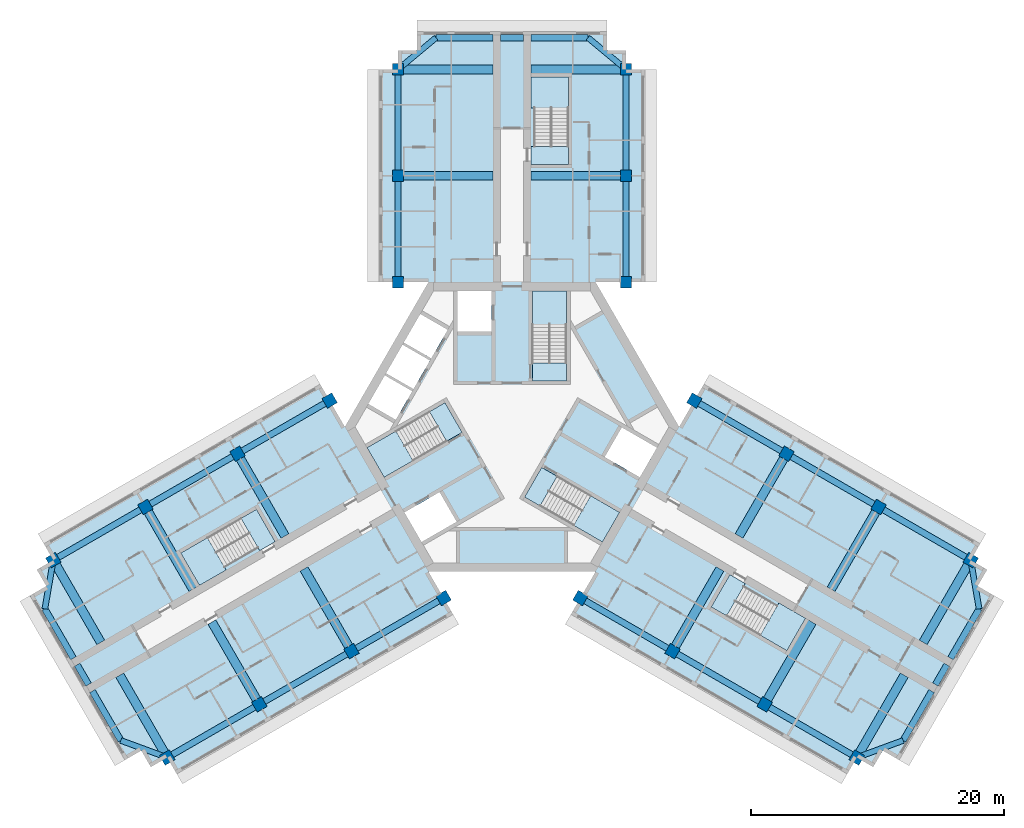
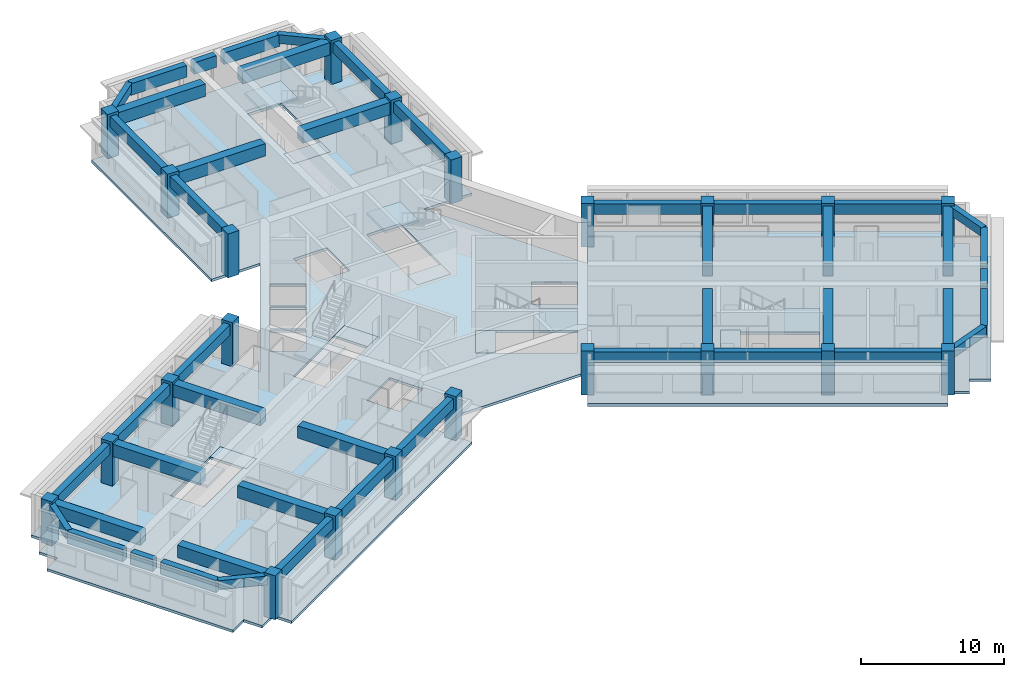
# One storey, part 1 of 11: 47 beams, 22 columns, 13 slabs, 6 elements without a shape of their own.
"""IFC4 building model written with IfcOpenShell, lengths in metres."""

from ifc_helpers import new_model, si_unit, direction, frame, origin, origin_2d, place, context, subcontext, project, spatial, polyline, rectangle, outline, extrude, material, layer, layer_set, material_profile, profile_set, type_object, element, aggregate, save


model = new_model("IFC4")

# Units and contexts
model_context = context("Model", 3, precision=1e-05, world=origin(), true_north=direction((0.0, 1.0)))
body_context = subcontext(model_context, "Body", "Model", "MODEL_VIEW")
ifc_project = project(units=[si_unit("LENGTHUNIT", "METRE"), si_unit("AREAUNIT", "SQUARE_METRE"), si_unit("VOLUMEUNIT", "CUBIC_METRE"), si_unit("PLANEANGLEUNIT", "RADIAN"), si_unit("MASSUNIT", "GRAM", prefix="KILO")], contexts=[model_context])

# Site, building, storey
site_placement = place(None, origin())
site = spatial("IfcSite", under=ifc_project, at=site_placement, CompositionType="ELEMENT")
building_placement = place(site_placement, origin())
building = spatial("IfcBuilding", under=site, at=building_placement, Name="Impinga Residences", CompositionType="ELEMENT")
storey_placement = place(building_placement, frame((0.0, 0.0, 203.5)))
storey = spatial("IfcBuildingStorey", under=building, at=storey_placement, Name="L50", CompositionType="ELEMENT", Elevation=203.5)

# Columns
ifc_material_1 = material(Name="Concrete C60/75", Category="concrete")
ifc_material_profile_1 = material_profile(ifc_material_1, rectangle(XDim=0.89990234375, YDim=0.89990234375, at=origin_2d()), Name="RC 900x900")
ifc_profile_set_1 = profile_set([ifc_material_profile_1], Name="Concrete C60/75")
column_type = type_object("IfcColumnType", Name="C4 900x900 column", PredefinedType="COLUMN", material=ifc_profile_set_1)
for number, where, z_axis, x_axis, name in (
    (1, (-9.0, 11.431640625, 0.0), (0.0, 0.0, 1.0), (1.0, 0.0, 0.0), "Column C4 N1/NA L50"),
    (2, (9.0, 11.431640625, 0.0), (0.0, 0.0, 1.0), (1.0, 0.0, 0.0), "Column C4 N1/NF L50"),
    (3, (-9.0, 19.83154296875, 0.0), (0.0, 0.0, 1.0), (1.0, 0.0, 0.0), "Column C4 N2/NA L50"),
    (4, (9.0, 19.83154296875, 0.0), (0.0, 0.0, 1.0), (1.0, 0.0, 0.0), "Column C4 N2/NF L50"),
    (5, (-9.0, 28.2314453125, 0.0), (0.0, 0.0, 1.0), (1.0, 0.0, 0.0), "Column C4 N3/NA L50"),
    (6, (9.0, 28.2314453125, 0.0), (0.0, 0.0, 1.0), (1.0, 0.0, 0.0), "Column C4 N3/NF L50"),
    (7, (-5.39990234375, -13.510009765625, 0.0), (0.0, 0.0, 1.0), (-0.5, 0.866025403784, 0.0), "Column C4 W1/WA L50"),
    (8, (-14.39990234375, 2.078369140625, 0.0), (0.0, 0.0, 1.0), (-0.5, 0.866025403784, 0.0), "Column C4 W1/WF L50"),
    (9, (-12.674560546875, -17.7099609375, 0.0), (0.0, 0.0, 1.0), (-0.5, 0.866025403784, 0.0), "Column C4 W2/WA L50"),
    (10, (-21.674560546875, -2.12158203125, 0.0), (0.0, 0.0, 1.0), (-0.5, 0.866025403784, 0.0), "Column C4 W2/WF L50"),
    (11, (-19.94921875, -21.909912109375, 0.0), (0.0, 0.0, 1.0), (-0.5, 0.866025403784, 0.0), "Column C4 W3/WA L50"),
    (12, (-28.94921875, -6.321533203125, 0.0), (0.0, 0.0, 1.0), (-0.5, 0.866025403784, 0.0), "Column C4 W3/WF L50"),
    (13, (-27.223876953125, -26.110107421875, 0.0), (0.0, 0.0, 1.0), (-0.5, 0.866025403784, 0.0), "Column C4 W4/WA L50"),
    (14, (-36.223876953125, -10.521484375, 0.0), (0.0, 0.0, 1.0), (-0.5, 0.866025403784, 0.0), "Column C4 W4/WF L50"),
    (15, (14.39990234375, 2.078369140625, 0.0), (0.0, 0.0, 1.0), (-0.5, -0.866025403784, 0.0), "Column C4 E1/EA L50"),
    (16, (5.39990234375, -13.510009765625, 0.0), (0.0, 0.0, 1.0), (-0.5, -0.866025403784, 0.0), "Column C4 E1/EF L50"),
    (17, (21.674560546875, -2.12158203125, 0.0), (0.0, 0.0, 1.0), (-0.5, -0.866025403784, 0.0), "Column C4 E2/EA L50"),
    (18, (12.674560546875, -17.7099609375, 0.0), (0.0, 0.0, 1.0), (-0.5, -0.866025403784, 0.0), "Column C4 E2/EF L50"),
    (19, (28.94921875, -6.321533203125, 0.0), (0.0, 0.0, 1.0), (-0.5, -0.866025403784, 0.0), "Column C4 E3/EA L50"),
    (20, (19.94921875, -21.909912109375, 0.0), (0.0, 0.0, 1.0), (-0.5, -0.866025403784, 0.0), "Column C4 E3/EF L50"),
    (21, (36.223876953125, -10.521484375, 0.0), (0.0, 0.0, 1.0), (-0.5, -0.866025403784, 0.0), "Column C4 E4/EA L50"),
    (22, (27.223876953125, -26.110107421875, 0.0), (0.0, 0.0, 1.0), (-0.5, -0.866025403784, 0.0), "Column C4 E4/EF L50"),
):
    element("IfcColumn", number, at=place(storey_placement, frame(where, z_axis=z_axis, x_axis=x_axis)), inside=storey, type_object=column_type, Name=name, PredefinedType="COLUMN", context=body_context, shape_type="SweptSolid", body=[
        extrude(rectangle(XDim=0.89990234375, YDim=0.89990234375, at=origin_2d()), origin(), (0.0, 0.0, 1.0), 3.75),
    ])

# Beams
ifc_material_profile_2 = material_profile(ifc_material_1, rectangle(XDim=0.449951171875, YDim=0.75, at=origin_2d()), Name="RC 450x750")
ifc_profile_set_2 = profile_set([ifc_material_profile_2], Name="Concrete C60/75")
beam_type_1 = type_object("IfcBeamType", Name="CB1 450x750 wing end cantilever beam", PredefinedType="BEAM", material=ifc_profile_set_2)
for number, where, z_axis, x_axis, name in (
    (23, (-9.0, 28.2314453125, 3.155029296875), (0.768221279597, 0.640184399664, 0.0), (-0.640184399664, 0.768221279597, 0.0), "Beam CB1 NB N3-NX level L51"),
    (24, (9.0, 28.2314453125, 3.155029296875), (-0.768221279597, 0.640184399664, 0.0), (-0.640184399664, -0.768221279597, 0.0), "Beam CB1 NE N3-NX level L51"),
    (25, (-27.223876953125, -26.110107421875, 3.155029296875), (-0.938520178725, 0.345224382289, 0.0), (-0.345224382289, -0.938520178725, 0.0), "Beam CB1 WB W4-WX level L51"),
):
    element("IfcBeam", number, at=place(storey_placement, frame(where, z_axis=z_axis, x_axis=x_axis)), inside=storey, type_object=beam_type_1, Name=name, PredefinedType="BEAM", context=body_context, shape_type="SweptSolid", body=[
        extrude(rectangle(XDim=0.449951171875, YDim=0.75, at=origin_2d()), origin(), (0.0, 0.0, 1.0), 3.905029296875),
    ])
for number, where, z_axis, x_axis, name in (
    (26, (-36.223876953125, -10.521484375, 3.155029296875), (-0.170296298948, -0.985392901621, 0.0), (0.985392901621, -0.170296298948, 0.0), "Beam CB1 WE W4-WX level L51"),
    (27, (36.223876953125, -10.521484375, 3.155029296875), (0.170296298948, -0.985392901621, 0.0), (0.985392901621, 0.170296298948, 0.0), "Beam CB1 EB E4-EX level L51"),
):
    element("IfcBeam", number, at=place(storey_placement, frame(where, z_axis=z_axis, x_axis=x_axis)), inside=storey, type_object=beam_type_1, Name=name, PredefinedType="BEAM", context=body_context, shape_type="SweptSolid", body=[
        extrude(rectangle(XDim=0.449951171875, YDim=0.75, at=origin_2d()), origin(), (0.0, 0.0, 1.0), 3.9052734375),
    ])
beam_1_placement = place(storey_placement, frame((27.223876953125, -26.110107421875, 3.155029296875), z_axis=(0.938520178725, 0.345224382289, 0.0), x_axis=(-0.345224382289, 0.938520178725, 0.0)))
element("IfcBeam", 28, at=beam_1_placement, inside=storey, type_object=beam_type_1, Name="Beam CB1 EE E4-EX level L51", PredefinedType="BEAM", context=body_context, shape_type="SweptSolid", body=[
    extrude(rectangle(XDim=0.449951171875, YDim=0.75, at=origin_2d()), origin(), (0.0, 0.0, 1.0), 3.905029296875),
])
ifc_material_profile_3 = material_profile(ifc_material_1, rectangle(XDim=0.699951171875, YDim=1.050048828125, at=origin_2d()), Name="RC 700x1050")
ifc_profile_set_3 = profile_set([ifc_material_profile_3], Name="Concrete C60/75")
beam_type_2 = type_object("IfcBeamType", Name="CG1 700x1050 cross girder on a wing bay line", PredefinedType="BEAM", material=ifc_profile_set_3)
for number, where, z_axis, x_axis, name in (
    (29, (-1.5, 19.83154296875, 3.0048828125), (-1.0, 0.0, 0.0), (0.0, -1.0, 0.0), "Beam CG1 N2 NC/NA level L51"),
    (30, (-1.5, 28.2314453125, 3.0048828125), (-1.0, 0.0, 0.0), (0.0, -1.0, 0.0), "Beam CG1 N3 NC/NA level L51"),
    (31, (1.5, 19.83154296875, 3.0048828125), (1.0, 0.0, 0.0), (0.0, 1.0, 0.0), "Beam CG1 N2 NC/NF level L51"),
    (32, (1.5, 28.2314453125, 3.0048828125), (1.0, 0.0, 0.0), (0.0, 1.0, 0.0), "Beam CG1 N3 NC/NF level L51"),
    (33, (-16.424560546875, -11.21484375, 3.0048828125), (0.500004234368, -0.866022959057, 0.0), (0.866022959057, 0.500004234368, 0.0), "Beam CG1 W2 WC/WA level L51"),
    (34, (-23.69921875, -15.414794921875, 3.0048828125), (0.500004234368, -0.866022959057, 0.0), (0.866022959057, 0.500004234368, 0.0), "Beam CG1 W3 WC/WA level L51"),
):
    element("IfcBeam", number, at=place(storey_placement, frame(where, z_axis=z_axis, x_axis=x_axis)), inside=storey, type_object=beam_type_2, Name=name, PredefinedType="BEAM", context=body_context, shape_type="SweptSolid", body=[
        extrude(rectangle(XDim=0.699951171875, YDim=1.050048828125, at=origin_2d()), origin(), (0.0, 0.0, 1.0), 7.5),
    ])
beam_2_placement = place(storey_placement, frame((-30.973876953125, -19.61474609375, 3.0048828125), z_axis=(0.499990139034, -0.866031096941, 0.0), x_axis=(0.866031096941, 0.499990139034, 0.0)))
element("IfcBeam", 35, at=beam_2_placement, inside=storey, type_object=beam_type_2, Name="Beam CG1 W4 WC/WA level L51", PredefinedType="BEAM", context=body_context, shape_type="SweptSolid", body=[
    extrude(rectangle(XDim=0.699951171875, YDim=1.050048828125, at=origin_2d()), origin(), (0.0, 0.0, 1.0), 7.500244140625),
])
for number, where, z_axis, x_axis, name in (
    (36, (-17.924560546875, -8.61669921875, 3.0048828125), (-0.500004234368, 0.866022959057, 0.0), (-0.866022959057, -0.500004234368, 0.0), "Beam CG1 W2 WC/WF level L51"),
    (37, (-25.19921875, -12.816650390625, 3.0048828125), (-0.500004234368, 0.866022959057, 0.0), (-0.866022959057, -0.500004234368, 0.0), "Beam CG1 W3 WC/WF level L51"),
):
    element("IfcBeam", number, at=place(storey_placement, frame(where, z_axis=z_axis, x_axis=x_axis)), inside=storey, type_object=beam_type_2, Name=name, PredefinedType="BEAM", context=body_context, shape_type="SweptSolid", body=[
        extrude(rectangle(XDim=0.699951171875, YDim=1.050048828125, at=origin_2d()), origin(), (0.0, 0.0, 1.0), 7.5),
    ])
beam_3_placement = place(storey_placement, frame((-32.473876953125, -17.016845703125, 3.0048828125), z_axis=(-0.499990139034, 0.866031096941, 0.0), x_axis=(-0.866031096941, -0.499990139034, 0.0)))
element("IfcBeam", 38, at=beam_3_placement, inside=storey, type_object=beam_type_2, Name="Beam CG1 W4 WC/WF level L51", PredefinedType="BEAM", context=body_context, shape_type="SweptSolid", body=[
    extrude(rectangle(XDim=0.699951171875, YDim=1.050048828125, at=origin_2d()), origin(), (0.0, 0.0, 1.0), 7.500244140625),
])
for number, where, z_axis, x_axis, name in (
    (39, (17.924560546875, -8.61669921875, 3.0048828125), (0.500004234368, 0.866022959057, 0.0), (-0.866022959057, 0.500004234368, 0.0), "Beam CG1 E2 EC/EA level L51"),
    (40, (25.19921875, -12.816650390625, 3.0048828125), (0.500004234368, 0.866022959057, 0.0), (-0.866022959057, 0.500004234368, 0.0), "Beam CG1 E3 EC/EA level L51"),
):
    element("IfcBeam", number, at=place(storey_placement, frame(where, z_axis=z_axis, x_axis=x_axis)), inside=storey, type_object=beam_type_2, Name=name, PredefinedType="BEAM", context=body_context, shape_type="SweptSolid", body=[
        extrude(rectangle(XDim=0.699951171875, YDim=1.050048828125, at=origin_2d()), origin(), (0.0, 0.0, 1.0), 7.5),
    ])
beam_4_placement = place(storey_placement, frame((32.473876953125, -17.016845703125, 3.0048828125), z_axis=(0.499990139034, 0.866031096941, 0.0), x_axis=(-0.866031096941, 0.499990139034, 0.0)))
element("IfcBeam", 41, at=beam_4_placement, inside=storey, type_object=beam_type_2, Name="Beam CG1 E4 EC/EA level L51", PredefinedType="BEAM", context=body_context, shape_type="SweptSolid", body=[
    extrude(rectangle(XDim=0.699951171875, YDim=1.050048828125, at=origin_2d()), origin(), (0.0, 0.0, 1.0), 7.500244140625),
])
for number, where, z_axis, x_axis, name in (
    (42, (16.424560546875, -11.21484375, 3.0048828125), (-0.500004234368, -0.866022959057, 0.0), (0.866022959057, -0.500004234368, 0.0), "Beam CG1 E2 EC/EF level L51"),
    (43, (23.69921875, -15.414794921875, 3.0048828125), (-0.500004234368, -0.866022959057, 0.0), (0.866022959057, -0.500004234368, 0.0), "Beam CG1 E3 EC/EF level L51"),
):
    element("IfcBeam", number, at=place(storey_placement, frame(where, z_axis=z_axis, x_axis=x_axis)), inside=storey, type_object=beam_type_2, Name=name, PredefinedType="BEAM", context=body_context, shape_type="SweptSolid", body=[
        extrude(rectangle(XDim=0.699951171875, YDim=1.050048828125, at=origin_2d()), origin(), (0.0, 0.0, 1.0), 7.5),
    ])
beam_5_placement = place(storey_placement, frame((30.973876953125, -19.61474609375, 3.0048828125), z_axis=(-0.499990139034, -0.866031096941, 0.0), x_axis=(0.866031096941, -0.499990139034, 0.0)))
element("IfcBeam", 44, at=beam_5_placement, inside=storey, type_object=beam_type_2, Name="Beam CG1 E4 EC/EF level L51", PredefinedType="BEAM", context=body_context, shape_type="SweptSolid", body=[
    extrude(rectangle(XDim=0.699951171875, YDim=1.050048828125, at=origin_2d()), origin(), (0.0, 0.0, 1.0), 7.500244140625),
])
ifc_material_profile_4 = material_profile(ifc_material_1, rectangle(XDim=0.5, YDim=1.0, at=origin_2d()), Name="RC 500x1000")
ifc_profile_set_4 = profile_set([ifc_material_profile_4], Name="Concrete C60/75")
beam_type_3 = type_object("IfcBeamType", Name="EB1 500x1000 wing end beam", PredefinedType="BEAM", material=ifc_profile_set_4)
beam_6_placement = place(storey_placement, frame((-6.0, 30.7314453125, 3.030029296875), z_axis=(1.0, 0.0, 0.0), x_axis=(0.0, 1.0, 0.0)))
element("IfcBeam", 45, at=beam_6_placement, inside=storey, type_object=beam_type_3, Name="Beam EB1 NX2 level L51", PredefinedType="BEAM", context=body_context, shape_type="SweptSolid", body=[
    extrude(rectangle(XDim=0.5, YDim=1.0, at=origin_2d()), origin(), (0.0, 0.0, 1.0), 4.5),
])
beam_7_placement = place(storey_placement, frame((-0.89990234375, 30.7314453125, 3.030029296875), z_axis=(1.0, 0.0, 0.0), x_axis=(0.0, 1.0, 0.0)))
element("IfcBeam", 46, at=beam_7_placement, inside=storey, type_object=beam_type_3, Name="Beam EB1 NX2 level L51", PredefinedType="BEAM", context=body_context, shape_type="SweptSolid", body=[
    extrude(rectangle(XDim=0.5, YDim=1.0, at=origin_2d()), origin(), (0.0, 0.0, 1.0), 1.7998046875),
])
for number, where, z_axis, x_axis, name in (
    (47, (1.5, 30.7314453125, 3.030029296875), (1.0, 0.0, 0.0), (0.0, 1.0, 0.0), "Beam EB1 NX2 level L51"),
    (48, (-30.888916015625, -24.761962890625, 3.030029296875), (-0.499990139034, 0.866031096941, 0.0), (-0.866031096941, -0.499990139034, 0.0), "Beam EB1 WX3 level L51"),
):
    element("IfcBeam", number, at=place(storey_placement, frame(where, z_axis=z_axis, x_axis=x_axis)), inside=storey, type_object=beam_type_3, Name=name, PredefinedType="BEAM", context=body_context, shape_type="SweptSolid", body=[
        extrude(rectangle(XDim=0.5, YDim=1.0, at=origin_2d()), origin(), (0.0, 0.0, 1.0), 4.5),
    ])
beam_8_placement = place(storey_placement, frame((-33.43896484375, -20.34521484375, 3.030029296875), z_axis=(-0.499961193289, 0.866047807691, 0.0), x_axis=(-0.866047807691, -0.499961193289, 0.0)))
element("IfcBeam", 49, at=beam_8_placement, inside=storey, type_object=beam_type_3, Name="Beam EB1 WX3 level L51", PredefinedType="BEAM", context=body_context, shape_type="SweptSolid", body=[
    extrude(rectangle(XDim=0.5, YDim=1.0, at=origin_2d()), origin(), (0.0, 0.0, 1.0), 1.800048828125),
])
for number, where, z_axis, x_axis, name in (
    (50, (-34.638916015625, -18.266845703125, 3.030029296875), (-0.499990139034, 0.866031096941, 0.0), (-0.866031096941, -0.499990139034, 0.0), "Beam EB1 WX3 level L51"),
    (51, (36.888916015625, -14.36962890625, 3.030029296875), (-0.499990139034, -0.866031096941, 0.0), (0.866031096941, -0.499990139034, 0.0), "Beam EB1 EX3 level L51"),
):
    element("IfcBeam", number, at=place(storey_placement, frame(where, z_axis=z_axis, x_axis=x_axis)), inside=storey, type_object=beam_type_3, Name=name, PredefinedType="BEAM", context=body_context, shape_type="SweptSolid", body=[
        extrude(rectangle(XDim=0.5, YDim=1.0, at=origin_2d()), origin(), (0.0, 0.0, 1.0), 4.5),
    ])
beam_9_placement = place(storey_placement, frame((34.3388671875, -18.786376953125, 3.030029296875), z_axis=(-0.499961193289, -0.866047807691, 0.0), x_axis=(0.866047807691, -0.499961193289, 0.0)))
element("IfcBeam", 52, at=beam_9_placement, inside=storey, type_object=beam_type_3, Name="Beam EB1 EX3 level L51", PredefinedType="BEAM", context=body_context, shape_type="SweptSolid", body=[
    extrude(rectangle(XDim=0.5, YDim=1.0, at=origin_2d()), origin(), (0.0, 0.0, 1.0), 1.800048828125),
])
beam_10_placement = place(storey_placement, frame((33.138916015625, -20.86474609375, 3.030029296875), z_axis=(-0.499990139034, -0.866031096941, 0.0), x_axis=(0.866031096941, -0.499990139034, 0.0)))
element("IfcBeam", 53, at=beam_10_placement, inside=storey, type_object=beam_type_3, Name="Beam EB1 EX3 level L51", PredefinedType="BEAM", context=body_context, shape_type="SweptSolid", body=[
    extrude(rectangle(XDim=0.5, YDim=1.0, at=origin_2d()), origin(), (0.0, 0.0, 1.0), 4.5),
])
ifc_material_profile_5 = material_profile(ifc_material_1, rectangle(XDim=0.5, YDim=0.89990234375, at=origin_2d()), Name="RC 500x900")
ifc_profile_set_5 = profile_set([ifc_material_profile_5], Name="Concrete C60/75")
beam_type_4 = type_object("IfcBeamType", Name="SB1 500x900 perimeter spandrel beam", PredefinedType="SPANDREL", material=ifc_profile_set_5)
for number, where, z_axis, x_axis, name in (
    (54, (-9.0, 11.431640625, 3.080078125), (0.0, 1.0, 0.0), (-1.0, 0.0, 0.0), "Beam SB1 NA N1-N2 level L51"),
    (55, (-9.0, 19.83154296875, 3.080078125), (0.0, 1.0, 0.0), (-1.0, 0.0, 0.0), "Beam SB1 NA N2-N3 level L51"),
    (56, (9.0, 11.431640625, 3.080078125), (0.0, 1.0, 0.0), (-1.0, 0.0, 0.0), "Beam SB1 NF N1-N2 level L51"),
    (57, (9.0, 19.83154296875, 3.080078125), (0.0, 1.0, 0.0), (-1.0, 0.0, 0.0), "Beam SB1 NF N2-N3 level L51"),
    (58, (-5.39990234375, -13.510009765625, 3.080078125), (-0.86602925447, -0.499993330357, 0.0), (0.499993330357, -0.86602925447, 0.0), "Beam SB1 WA W1-W2 level L51"),
    (59, (-12.674560546875, -17.7099609375, 3.080078125), (-0.86602925447, -0.499993330357, 0.0), (0.499993330357, -0.86602925447, 0.0), "Beam SB1 WA W2-W3 level L51"),
):
    element("IfcBeam", number, at=place(storey_placement, frame(where, z_axis=z_axis, x_axis=x_axis)), inside=storey, type_object=beam_type_4, Name=name, PredefinedType="SPANDREL", context=body_context, shape_type="SweptSolid", body=[
        extrude(rectangle(XDim=0.5, YDim=0.89990234375, at=origin_2d()), origin(), (0.0, 0.0, 1.0), 8.39990234375),
    ])
beam_11_placement = place(storey_placement, frame((-19.94921875, -21.909912109375, 3.080078125), z_axis=(-0.866016669275, -0.500015128309, 0.0), x_axis=(0.500015128309, -0.866016669275, 0.0)))
element("IfcBeam", 60, at=beam_11_placement, inside=storey, type_object=beam_type_4, Name="Beam SB1 WA W3-W4 level L51", PredefinedType="SPANDREL", context=body_context, shape_type="SweptSolid", body=[
    extrude(rectangle(XDim=0.5, YDim=0.89990234375, at=origin_2d()), origin(), (0.0, 0.0, 1.0), 8.400146484375),
])
for number, where, z_axis, x_axis, name in (
    (61, (-14.39990234375, 2.078369140625, 3.080078125), (-0.86602925447, -0.499993330357, 0.0), (0.499993330357, -0.86602925447, 0.0), "Beam SB1 WF W1-W2 level L51"),
    (62, (-21.674560546875, -2.12158203125, 3.080078125), (-0.86602925447, -0.499993330357, 0.0), (0.499993330357, -0.86602925447, 0.0), "Beam SB1 WF W2-W3 level L51"),
    (63, (-28.94921875, -6.321533203125, 3.080078125), (-0.86602925447, -0.499993330357, 0.0), (0.499993330357, -0.86602925447, 0.0), "Beam SB1 WF W3-W4 level L51"),
    (64, (14.39990234375, 2.078369140625, 3.080078125), (0.86602925447, -0.499993330357, 0.0), (0.499993330357, 0.86602925447, 0.0), "Beam SB1 EA E1-E2 level L51"),
    (65, (21.674560546875, -2.12158203125, 3.080078125), (0.86602925447, -0.499993330357, 0.0), (0.499993330357, 0.86602925447, 0.0), "Beam SB1 EA E2-E3 level L51"),
    (66, (28.94921875, -6.321533203125, 3.080078125), (0.86602925447, -0.499993330357, 0.0), (0.499993330357, 0.86602925447, 0.0), "Beam SB1 EA E3-E4 level L51"),
    (67, (5.39990234375, -13.510009765625, 3.080078125), (0.86602925447, -0.499993330357, 0.0), (0.499993330357, 0.86602925447, 0.0), "Beam SB1 EF E1-E2 level L51"),
    (68, (12.674560546875, -17.7099609375, 3.080078125), (0.86602925447, -0.499993330357, 0.0), (0.499993330357, 0.86602925447, 0.0), "Beam SB1 EF E2-E3 level L51"),
):
    element("IfcBeam", number, at=place(storey_placement, frame(where, z_axis=z_axis, x_axis=x_axis)), inside=storey, type_object=beam_type_4, Name=name, PredefinedType="SPANDREL", context=body_context, shape_type="SweptSolid", body=[
        extrude(rectangle(XDim=0.5, YDim=0.89990234375, at=origin_2d()), origin(), (0.0, 0.0, 1.0), 8.39990234375),
    ])
beam_12_placement = place(storey_placement, frame((19.94921875, -21.909912109375, 3.080078125), z_axis=(0.866016669275, -0.500015128309, 0.0), x_axis=(0.500015128309, 0.866016669275, 0.0)))
element("IfcBeam", 69, at=beam_12_placement, inside=storey, type_object=beam_type_4, Name="Beam SB1 EF E3-E4 level L51", PredefinedType="SPANDREL", context=body_context, shape_type="SweptSolid", body=[
    extrude(rectangle(XDim=0.5, YDim=0.89990234375, at=origin_2d()), origin(), (0.0, 0.0, 1.0), 8.400146484375),
])

# Slab
ifc_layer_1 = layer(ifc_material_1, 0.219970703125)
ifc_layer_set_1 = layer_set([ifc_layer_1], Name="Concrete C60/75")
slab_type_1 = type_object("IfcSlabType", Name="FS1 tower floor slab 220", PredefinedType="FLOOR", material=ifc_layer_set_1)
slab_1_placement = place(storey_placement, frame((0.0, 0.0, -0.219970703125)))
element("IfcSlab", 70, at=slab_1_placement, inside=storey, type_object=slab_type_1, Name="Floor slab FS1 L50", PredefinedType="FLOOR", context=body_context, shape_type="SweptSolid", body=[
    extrude(outline(polyline([(-27.223876953125, -26.110107421875), (-28.52294921875, -26.860107421875), (-29.27294921875, -25.56103515625), (-30.572021484375, -26.31103515625), (-38.072021484375, -13.320556640625), (-36.77294921875, -12.570556640625), (-37.52294921875, -11.271484375), (-36.223876953125, -10.521484375), (-36.973876953125, -9.222412109375), (-15.14990234375, 3.37744140625), (-13.199951171875, 0.0), (-6.60009765625, 11.431640625), (-10.5, 11.431640625), (-10.5, 28.2314453125), (-9.0, 28.2314453125), (-9.0, 29.7314453125), (-7.5, 29.7314453125), (-7.5, 31.2314453125), (7.5, 31.2314453125), (7.5, 29.7314453125), (9.0, 29.7314453125), (9.0, 28.2314453125), (10.5, 28.2314453125), (10.5, 11.431640625), (6.60009765625, 11.431640625), (13.199951171875, 0.0), (15.14990234375, 3.37744140625), (36.973876953125, -9.222412109375), (36.223876953125, -10.521484375), (37.52294921875, -11.271484375), (36.77294921875, -12.570556640625), (38.072021484375, -13.320556640625), (30.572021484375, -26.31103515625), (29.27294921875, -25.56103515625), (28.52294921875, -26.860107421875), (27.223876953125, -26.110107421875), (26.473876953125, -27.408935546875), (4.64990234375, -14.80908203125), (9.900146484375, -5.7158203125), (6.60009765625, -11.431640625), (-6.60009765625, -11.431640625), (-9.900146484375, -5.7158203125), (-4.64990234375, -14.80908203125), (-26.473876953125, -27.408935546875), (-27.223876953125, -26.110107421875)]), holes=[polyline([(-18.7041015625, -9.066650390625), (-18.8291015625, -8.850341796875), (-18.8291015625, -8.850341796875), (-20.178955078125, -6.511962890625), (-21.391357421875, -7.2119140625), (-21.391357421875, -7.2119140625), (-26.154541015625, -9.9619140625), (-24.8046875, -12.30029296875), (-20.04150390625, -9.55029296875), (-19.91650390625, -9.766845703125), (-18.7041015625, -9.066650390625)]), polyline([(-5.72119140625, -5.150634765625), (-8.493896484375, -6.75146484375), (-7.143798828125, -9.089599609375), (-4.37109375, -7.489013671875), (-5.72119140625, -5.150634765625)]), polyline([(-5.293701171875, 1.908935546875), (-11.44384765625, -1.641845703125), (-10.09375, -3.980224609375), (-3.943603515625, -0.429443359375), (-5.293701171875, 1.908935546875)]), polyline([(-7.878662109375, 2.816650390625), (-10.043701171875, 4.066650390625), (-11.34375, 1.81494140625), (-9.1787109375, 0.56494140625), (-7.878662109375, 2.816650390625)]), polyline([(-6.478759765625, 5.24169921875), (-8.643798828125, 6.49169921875), (-9.94384765625, 4.239990234375), (-7.77880859375, 2.989990234375), (-6.478759765625, 5.24169921875)]), polyline([(-6.378662109375, 5.414794921875), (-5.07861328125, 7.66650390625), (-7.243896484375, 8.91650390625), (-8.543701171875, 6.664794921875), (-6.378662109375, 5.414794921875)]), polyline([(-4.300048828125, 7.530029296875), (-1.60009765625, 7.530029296875), (-1.60009765625, 10.7314453125), (-4.300048828125, 10.7314453125), (-4.300048828125, 7.530029296875)]), polyline([(15.72900390625, -14.219482421875), (21.70458984375, -17.669677734375), (23.0546875, -15.331298828125), (18.29150390625, -12.581298828125), (18.41650390625, -12.36474609375), (17.2041015625, -11.664794921875), (15.72900390625, -14.219482421875)]), polyline([(0.99365234375, -5.538818359375), (7.143798828125, -9.089599609375), (8.493896484375, -6.75146484375), (2.34375, -3.20068359375), (0.99365234375, -5.538818359375)]), polyline([(7.3212890625, -2.37939453125), (10.09375, -3.980224609375), (11.44384765625, -1.641845703125), (8.671142578125, -0.041015625), (7.3212890625, -2.37939453125)]), polyline([(4.300048828125, 3.6298828125), (4.300048828125, 10.7314453125), (1.60009765625, 10.7314453125), (1.60009765625, 3.6298828125), (4.300048828125, 3.6298828125)]), polyline([(1.75, 22.131591796875), (1.5, 22.131591796875), (1.5, 20.7314453125), (1.75, 20.7314453125), (4.449951171875, 20.7314453125), (4.449951171875, 22.131591796875), (4.449951171875, 27.631591796875), (1.75, 27.631591796875), (1.75, 22.131591796875)])]), origin(), (0.0, 0.0, 1.0), 0.219970703125),
])

# Stair, slabs
ifc_material_2 = material(Name="Concrete C40/50", Category="concrete")
stair_type_1 = type_object("IfcStairType", Name="STR core stair 3750 storey, 24 risers", PredefinedType="HALF_TURN_STAIR", material=ifc_material_2)
stair_1_placement = place(storey_placement, origin())
stair_1 = element("IfcStair", 71, at=stair_1_placement, inside=storey, type_object=stair_type_1, Name="Stair ST1 L50", PredefinedType="HALF_TURN_STAIR")
ifc_layer_2 = layer(ifc_material_2, 0.199951171875)
ifc_layer_set_2 = layer_set([ifc_layer_2], Name="Concrete C40/50")
slab_type_2 = type_object("IfcSlabType", Name="LS1 stair landing 200", PredefinedType="LANDING", material=ifc_layer_set_2)
slab_2_placement = place(storey_placement, frame((0.0, 0.0, -0.199951171875)))
slab_2 = element("IfcSlab", 72, at=slab_2_placement, type_object=slab_type_2, Name="ST1 landing 1", PredefinedType="LANDING", context=body_context, shape_type="SweptSolid", body=[
    extrude(outline(polyline([(1.60009765625, 3.6298828125), (4.300048828125, 3.6298828125), (4.300048828125, 5.0400390625), (1.60009765625, 5.0400390625), (1.60009765625, 3.6298828125)])), origin(), (0.0, 0.0, 1.0), 0.199951171875),
])
slab_3_placement = place(storey_placement, frame((0.0, 0.0, 1.675048828125)))
slab_3 = element("IfcSlab", 73, at=slab_3_placement, type_object=slab_type_2, Name="ST1 landing 2", PredefinedType="LANDING", context=body_context, shape_type="SweptSolid", body=[
    extrude(outline(polyline([(1.60009765625, 8.10009765625), (4.300048828125, 8.10009765625), (4.300048828125, 10.7314453125), (1.60009765625, 10.7314453125), (1.60009765625, 8.10009765625)])), origin(), (0.0, 0.0, 1.0), 0.199951171875),
])
aggregate(stair_1, [slab_2, slab_3])

stair_2_placement = place(storey_placement, origin())
stair_2 = element("IfcStair", 74, at=stair_2_placement, inside=storey, type_object=stair_type_1, Name="Stair ST2 L50", PredefinedType="HALF_TURN_STAIR")
slab_4_placement = place(storey_placement, frame((0.0, 0.0, -0.199951171875)))
slab_4 = element("IfcSlab", 75, at=slab_4_placement, type_object=slab_type_2, Name="ST2 landing 1", PredefinedType="LANDING", context=body_context, shape_type="SweptSolid", body=[
    extrude(outline(polyline([(-3.943603515625, -0.429443359375), (-5.293701171875, 1.908935546875), (-6.5146484375, 1.203857421875), (-5.164794921875, -1.13427734375), (-3.943603515625, -0.429443359375)])), origin(), (0.0, 0.0, 1.0), 0.199951171875),
])
slab_5_placement = place(storey_placement, frame((0.0, 0.0, 1.675048828125)))
slab_5 = element("IfcSlab", 76, at=slab_5_placement, type_object=slab_type_2, Name="ST2 landing 2", PredefinedType="LANDING", context=body_context, shape_type="SweptSolid", body=[
    extrude(outline(polyline([(-7.814697265625, -2.664306640625), (-9.164794921875, -0.326171875), (-11.44384765625, -1.641845703125), (-10.09375, -3.980224609375), (-7.814697265625, -2.664306640625)])), origin(), (0.0, 0.0, 1.0), 0.199951171875),
])
aggregate(stair_2, [slab_4, slab_5])

stair_3_placement = place(storey_placement, origin())
stair_3 = element("IfcStair", 77, at=stair_3_placement, inside=storey, type_object=stair_type_1, Name="Stair ST3 L50", PredefinedType="HALF_TURN_STAIR")
slab_6_placement = place(storey_placement, frame((0.0, 0.0, -0.199951171875)))
slab_6 = element("IfcSlab", 78, at=slab_6_placement, type_object=slab_type_2, Name="ST3 landing 1", PredefinedType="LANDING", context=body_context, shape_type="SweptSolid", body=[
    extrude(outline(polyline([(2.34375, -3.20068359375), (0.99365234375, -5.538818359375), (2.21484375, -6.243896484375), (3.564697265625, -3.90576171875), (2.34375, -3.20068359375)])), origin(), (0.0, 0.0, 1.0), 0.199951171875),
])
slab_7_placement = place(storey_placement, frame((0.0, 0.0, 1.675048828125)))
slab_7 = element("IfcSlab", 79, at=slab_7_placement, type_object=slab_type_2, Name="ST3 landing 2", PredefinedType="LANDING", context=body_context, shape_type="SweptSolid", body=[
    extrude(outline(polyline([(6.21484375, -5.435546875), (4.86474609375, -7.77392578125), (7.143798828125, -9.089599609375), (8.493896484375, -6.75146484375), (6.21484375, -5.435546875)])), origin(), (0.0, 0.0, 1.0), 0.199951171875),
])
aggregate(stair_3, [slab_6, slab_7])

stair_type_2 = type_object("IfcStairType", Name="STR wing stair 3750 storey, 24 risers", PredefinedType="HALF_TURN_STAIR", material=ifc_material_2)
stair_4_placement = place(storey_placement, origin())
stair_4 = element("IfcStair", 80, at=stair_4_placement, inside=storey, type_object=stair_type_2, Name="Stair WS1 L50", PredefinedType="HALF_TURN_STAIR")
slab_8_placement = place(storey_placement, frame((0.0, 0.0, -0.199951171875)))
slab_8 = element("IfcSlab", 81, at=slab_8_placement, type_object=slab_type_2, Name="WS1 landing 1", PredefinedType="LANDING", context=body_context, shape_type="SweptSolid", body=[
    extrude(outline(polyline([(1.5, 20.7314453125), (4.449951171875, 20.7314453125), (4.449951171875, 22.1416015625), (1.5, 22.1416015625), (1.5, 20.7314453125)])), origin(), (0.0, 0.0, 1.0), 0.199951171875),
])
slab_9_placement = place(storey_placement, frame((0.0, 0.0, 1.675048828125)))
slab_9 = element("IfcSlab", 82, at=slab_9_placement, type_object=slab_type_2, Name="WS1 landing 2", PredefinedType="LANDING", context=body_context, shape_type="SweptSolid", body=[
    extrude(outline(polyline([(1.5, 25.201416015625), (4.449951171875, 25.201416015625), (4.449951171875, 27.631591796875), (1.5, 27.631591796875), (1.5, 25.201416015625)])), origin(), (0.0, 0.0, 1.0), 0.199951171875),
])
aggregate(stair_4, [slab_8, slab_9])

stair_5_placement = place(storey_placement, origin())
stair_5 = element("IfcStair", 83, at=stair_5_placement, inside=storey, type_object=stair_type_2, Name="Stair WS2 L50", PredefinedType="HALF_TURN_STAIR")
slab_10_placement = place(storey_placement, frame((0.0, 0.0, -0.199951171875)))
slab_10 = element("IfcSlab", 84, at=slab_10_placement, type_object=slab_type_2, Name="WS2 landing 1", PredefinedType="LANDING", context=body_context, shape_type="SweptSolid", body=[
    extrude(outline(polyline([(-18.7041015625, -9.066650390625), (-20.178955078125, -6.511962890625), (-21.400146484375, -7.217041015625), (-19.925048828125, -9.771728515625), (-18.7041015625, -9.066650390625)])), origin(), (0.0, 0.0, 1.0), 0.199951171875),
])
slab_11_placement = place(storey_placement, frame((0.0, 0.0, 1.675048828125)))
slab_11 = element("IfcSlab", 85, at=slab_11_placement, type_object=slab_type_2, Name="WS2 landing 2", PredefinedType="LANDING", context=body_context, shape_type="SweptSolid", body=[
    extrude(outline(polyline([(-22.5751953125, -11.3017578125), (-24.050048828125, -8.7470703125), (-26.154541015625, -9.9619140625), (-24.6796875, -12.516845703125), (-22.5751953125, -11.3017578125)])), origin(), (0.0, 0.0, 1.0), 0.199951171875),
])
aggregate(stair_5, [slab_10, slab_11])

stair_6_placement = place(storey_placement, origin())
stair_6 = element("IfcStair", 86, at=stair_6_placement, inside=storey, type_object=stair_type_2, Name="Stair WS3 L50", PredefinedType="HALF_TURN_STAIR")
slab_12_placement = place(storey_placement, frame((0.0, 0.0, -0.199951171875)))
slab_12 = element("IfcSlab", 87, at=slab_12_placement, type_object=slab_type_2, Name="WS3 landing 1", PredefinedType="LANDING", context=body_context, shape_type="SweptSolid", body=[
    extrude(outline(polyline([(17.2041015625, -11.664794921875), (15.72900390625, -14.219482421875), (16.9501953125, -14.924560546875), (18.425048828125, -12.369873046875), (17.2041015625, -11.664794921875)])), origin(), (0.0, 0.0, 1.0), 0.199951171875),
])
slab_13_placement = place(storey_placement, frame((0.0, 0.0, 1.675048828125)))
slab_13 = element("IfcSlab", 88, at=slab_13_placement, type_object=slab_type_2, Name="WS3 landing 2", PredefinedType="LANDING", context=body_context, shape_type="SweptSolid", body=[
    extrude(outline(polyline([(21.0751953125, -13.89990234375), (19.60009765625, -16.45458984375), (21.70458984375, -17.669677734375), (23.1796875, -15.11474609375), (21.0751953125, -13.89990234375)])), origin(), (0.0, 0.0, 1.0), 0.199951171875),
])
aggregate(stair_6, [slab_12, slab_13])

save(model, "model.ifc")
